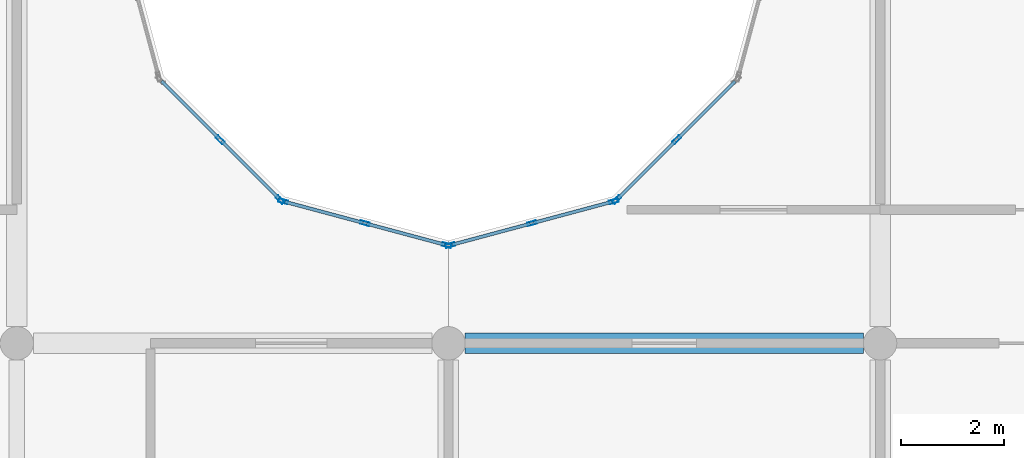
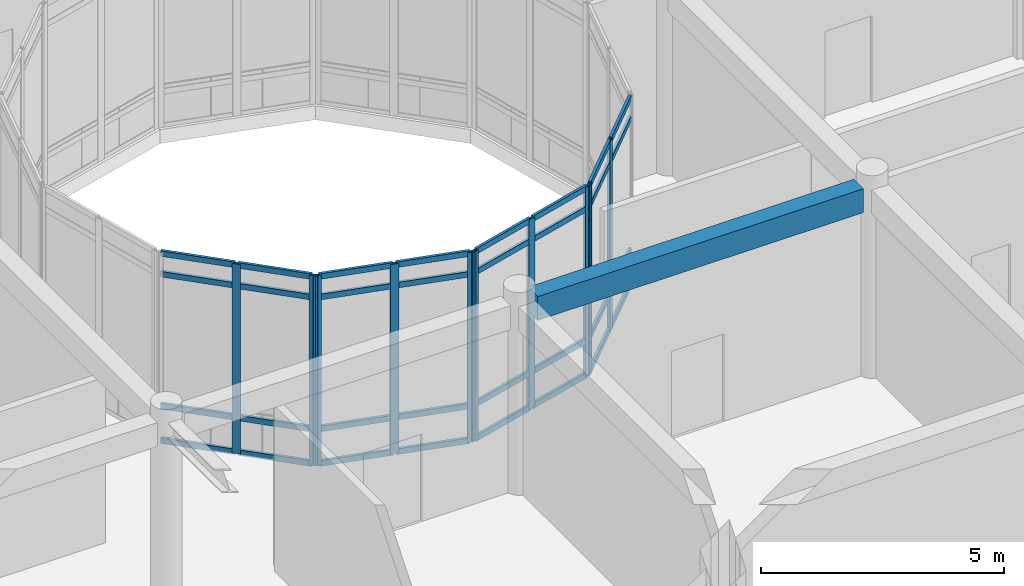
# One storey, part 27 of 134: 42 members, 1 beam, 4 elements without a shape of their own.
"""IFC4 building model written with IfcOpenShell, lengths in metres."""

import ifcopenshell
import ifcopenshell.guid

model = None  # the IFC model being written
_history = None  # IfcOwnerHistory: only IFC2X3 demands one
_inside = {}  # id of a spatial element -> (the spatial element, [elements in it])
_under = {}  # id of a project, library or spatial element -> (it, [spatial elements below it])
_declared = {}  # id of a project -> (the project, [libraries it declares])
_typed = {}  # id of a type object -> (the type object, [elements of that type])
_made_of = {}  # id of a material, layer set ... -> (it, [elements and type objects made of it])


def new_model(schema):
    """Start an empty IFC model of exactly this schema.

    Asked for "IFC4X3", IfcOpenShell would pick the latest addendum, in which some entities
    have other attributes; the version numbers below select the first issue.
    IFC2X3 requires an IfcOwnerHistory on every rooted entity: one is made here for all.
    """
    global model, _history
    if schema == "IFC4X3":
        model = ifcopenshell.file(schema_version=(4, 3, 0, 0))
    else:
        model = ifcopenshell.file(schema=schema)
    _inside.clear()
    _under.clear()
    _declared.clear()
    _typed.clear()
    _made_of.clear()
    _history = None
    if model.schema == "IFC2X3":
        org = make("IfcOrganization", Name="unknown")
        user = make(
            "IfcPersonAndOrganization",
            ThePerson=make("IfcPerson", FamilyName="unknown"),
            TheOrganization=org,
        )
        app = make(
            "IfcApplication",
            ApplicationDeveloper=org,
            Version="unknown",
            ApplicationFullName="unknown",
            ApplicationIdentifier="unknown",
        )
        _history = make(
            "IfcOwnerHistory",
            OwningUser=user,
            OwningApplication=app,
            ChangeAction="ADDED",
            CreationDate=0,
        )
    return model


def make(cls, **values):
    """One entity of the class cls with the attributes given. An attribute that is None is left unset."""
    return model.create_entity(
        cls, **{name: value for name, value in values.items() if value is not None}
    )


def rooted(cls, **values):
    """An entity with a GlobalId (a new one), such as an element, a storey or a relation."""
    return make(cls, GlobalId=ifcopenshell.guid.new(), OwnerHistory=_history, **values)


def si_unit(unit_type, name, prefix=None):
    """IfcSIUnit, for example si_unit("LENGTHUNIT", "METRE", prefix="MILLI")."""
    return make("IfcSIUnit", UnitType=unit_type, Prefix=prefix, Name=name)


def assignment(units):
    """IfcUnitAssignment: the units of a project."""
    return None if units is None else make("IfcUnitAssignment", Units=units)


def point(xyz):
    """IfcCartesianPoint."""
    return None if xyz is None else make("IfcCartesianPoint", Coordinates=xyz)


def direction(xyz):
    """IfcDirection."""
    return None if xyz is None else make("IfcDirection", DirectionRatios=xyz)


def frame(location, z_axis=None, x_axis=None):
    """IfcAxis2Placement3D, a coordinate frame: its origin and axes. An axis left out is left unset."""
    return make(
        "IfcAxis2Placement3D",
        Location=point(location),
        Axis=direction(z_axis),
        RefDirection=direction(x_axis),
    )


def frame_2d(location, x_axis=None):
    """IfcAxis2Placement2D, a coordinate frame in the plane: its origin and x axis."""
    return make(
        "IfcAxis2Placement2D", Location=point(location), RefDirection=direction(x_axis)
    )


def origin():
    """The frame at (0, 0, 0) with its axes left unset."""
    return frame((0.0, 0.0, 0.0))


def origin_2d():
    """The frame at (0, 0) in the plane with its x axis left unset."""
    return frame_2d((0.0, 0.0))


def place(relative_to, where):
    """IfcLocalPlacement: puts the frame where relative to a parent placement (None: the world)."""
    return make(
        "IfcLocalPlacement", PlacementRelTo=relative_to, RelativePlacement=where
    )


def context(
    kind, dimensions, precision=None, world=None, true_north=None, identifier=None
):
    """IfcGeometricRepresentationContext, for example the 3D "Model" context."""
    return make(
        "IfcGeometricRepresentationContext",
        ContextIdentifier=identifier,
        ContextType=kind,
        CoordinateSpaceDimension=dimensions,
        Precision=precision,
        WorldCoordinateSystem=world,
        TrueNorth=true_north,
    )


def subcontext(parent, identifier, kind, view, scale=None):
    """IfcGeometricRepresentationSubContext, for example "Body" below "Model"."""
    return make(
        "IfcGeometricRepresentationSubContext",
        ContextIdentifier=identifier,
        ContextType=kind,
        ParentContext=parent,
        TargetScale=scale,
        TargetView=view,
    )


def project(units=None, contexts=None):
    """IfcProject with its units and contexts."""
    return rooted(
        "IfcProject",
        Name="project",
        RepresentationContexts=contexts,
        UnitsInContext=assignment(units),
    )


def spatial(cls, under=None, at=None, **own):
    """A site, building, storey or space (cls), placed at a placement, below another one or the project."""
    s = rooted(cls, ObjectPlacement=at, **own)
    if under is not None:
        _under.setdefault(under.id(), (under, []))[1].append(s)
    return s


def profile(cls, at=None, kind="AREA", **sizes):
    """A parametric profile (cls). Its sizes go by their IFC names, for example OverallWidth=200.0."""
    return make(cls, ProfileType=kind, Position=at, **sizes)


def rectangle(**sizes):
    """IfcRectangleProfileDef."""
    return profile("IfcRectangleProfileDef", **sizes)


def hollow_rectangle(**sizes):
    """IfcRectangleHollowProfileDef."""
    return profile("IfcRectangleHollowProfileDef", **sizes)


def extrude(swept, where, along, depth):
    """IfcExtrudedAreaSolid: the profile swept, set in the frame where, extruded along a direction by depth."""
    return make(
        "IfcExtrudedAreaSolid",
        SweptArea=swept,
        Position=where,
        ExtrudedDirection=direction(along),
        Depth=depth,
    )


def shape(context_of_items, identifier, shape_type, items):
    """IfcShapeRepresentation: the items that make up one representation, for example the "Body"."""
    return make(
        "IfcShapeRepresentation",
        ContextOfItems=context_of_items,
        RepresentationIdentifier=identifier,
        RepresentationType=shape_type,
        Items=items,
    )


def material(Name=None, Category=None):
    """IfcMaterial."""
    return make("IfcMaterial", Name=Name, Category=Category)


def layer(
    of_material, thickness, ventilated=None, Name=None, Category=None, Priority=None
):
    """IfcMaterialLayer: one layer of a wall or slab, of a material (None: an air gap)."""
    return make(
        "IfcMaterialLayer",
        Material=of_material,
        LayerThickness=thickness,
        IsVentilated=ventilated,
        Name=Name,
        Category=Category,
        Priority=Priority,
    )


def layer_set(layers, Name=None):
    """IfcMaterialLayerSet."""
    return make("IfcMaterialLayerSet", MaterialLayers=layers, LayerSetName=Name)


def material_profile(
    of_material, cross_section, Name=None, Category=None, Priority=None
):
    """IfcMaterialProfile: a cross section and its material."""
    return make(
        "IfcMaterialProfile",
        Name=Name,
        Material=of_material,
        Profile=cross_section,
        Priority=Priority,
        Category=Category,
    )


def profile_set(profiles, Name=None, composite=None):
    """IfcMaterialProfileSet."""
    return make(
        "IfcMaterialProfileSet",
        Name=Name,
        MaterialProfiles=profiles,
        CompositeProfile=composite,
    )


def made_of(thing, what):
    """Note that an element or type object is made of a material, layer set ...; save() writes the relation."""
    if what is not None:
        _made_of.setdefault(what.id(), (what, []))[1].append(thing)
    return thing


def type_object(cls, material=None, **own):
    """A type object (cls), such as IfcWallType, which elements share."""
    return made_of(rooted(cls, **own), material)


def element(
    cls,
    number,
    at=None,
    inside=None,
    cuts=None,
    type_object=None,
    material=None,
    context=None,
    identifier="Body",
    shape_type=None,
    held_by="IfcProductDefinitionShape",
    body=None,
    shapes=None,
    **own,
):
    """One element of the class cls, such as IfcWall. Its Tag is "e" and its number.

    at: its placement. inside: the storey or other place that contains it. cuts: it is an
    opening in that element (IfcRelVoidsElement). A single representation is given by context,
    identifier, shape_type and body (its items); several are given by shapes. held_by: the class
    of the entity that holds the representations. save() writes the other relations.
    """
    e = rooted(cls, Tag="e%d" % number, ObjectPlacement=at, **own)
    if body is not None:
        shapes = [shape(context, identifier, shape_type, body)]
    if shapes is not None:
        e.Representation = make(held_by, Representations=shapes)
    if inside is not None:
        _inside.setdefault(inside.id(), (inside, []))[1].append(e)
    if cuts is not None:
        rooted(
            "IfcRelVoidsElement", RelatingBuildingElement=cuts, RelatedOpeningElement=e
        )
    if type_object is not None:
        _typed.setdefault(type_object.id(), (type_object, []))[1].append(e)
    return made_of(e, material)


def aggregate(whole, parts):
    """IfcRelAggregates: a whole, such as a stair, and the parts it consists of."""
    return rooted("IfcRelAggregates", RelatingObject=whole, RelatedObjects=parts)


def save(model, path):
    """Write the relations noted so far, then the file.

    IfcRelAggregates (storeys below a building ...), IfcRelContainedInSpatialStructure (elements
    in a storey), IfcRelDefinesByType, IfcRelAssociatesMaterial and IfcRelDeclares: one each for
    every whole, place, type object, material and project.
    """
    for whole, parts in _under.values():
        aggregate(whole, parts)
    for where, things in _inside.values():
        rooted(
            "IfcRelContainedInSpatialStructure",
            RelatedElements=things,
            RelatingStructure=where,
        )
    for kind, things in _typed.values():
        rooted("IfcRelDefinesByType", RelatedObjects=things, RelatingType=kind)
    for what, things in _made_of.values():
        rooted("IfcRelAssociatesMaterial", RelatedObjects=things, RelatingMaterial=what)
    for by, libraries in _declared.values():
        rooted("IfcRelDeclares", RelatingContext=by, RelatedDefinitions=libraries)
    model.write(path)


model = new_model("IFC4")

# Units and contexts
model_context = context("Model", 3, precision=1e-05, world=origin(), true_north=direction((0.0, 1.0)))
body_context = subcontext(model_context, "Body", "Model", "MODEL_VIEW")
ifc_project = project(units=[si_unit("LENGTHUNIT", "METRE"), si_unit("AREAUNIT", "SQUARE_METRE"), si_unit("VOLUMEUNIT", "CUBIC_METRE"), si_unit("PLANEANGLEUNIT", "RADIAN"), si_unit("MASSUNIT", "GRAM", prefix="KILO")], contexts=[model_context])

# Site, building, storey
site_placement = place(None, origin())
site = spatial("IfcSite", under=ifc_project, at=site_placement, CompositionType="ELEMENT")
building_placement = place(site_placement, origin())
building = spatial("IfcBuilding", under=site, at=building_placement, Name="Bramfleet General Hospital", CompositionType="ELEMENT")
storey_placement = place(building_placement, frame((0.0, 0.0, 9.300048828125)))
storey = spatial("IfcBuildingStorey", under=building, at=storey_placement, Name="L02", CompositionType="ELEMENT", Elevation=9.300048828125)

# Beam
ifc_material_1 = material(Name="Concrete C35/45", Category="concrete")
ifc_material_profile_1 = material_profile(ifc_material_1, rectangle(XDim=0.39990234375, YDim=0.60009765625, at=origin_2d()), Name="RC BM 600x400")
ifc_profile_set_1 = profile_set([ifc_material_profile_1], Name="Concrete C35/45")
beam_type = type_object("IfcBeamType", Name="BM-RC600", PredefinedType="BEAM", material=ifc_profile_set_1)
beam_placement = place(storey_placement, frame((117.925048828125, 58.800048828125, 4.47998046875), z_axis=(1.0, 0.0, 0.0), x_axis=(0.0, 1.0, 0.0)))
element("IfcBeam", 1, at=beam_placement, inside=storey, type_object=beam_type, Name="L02 Grid Beam X 14-07", PredefinedType="BEAM", context=body_context, shape_type="SweptSolid", body=[
    extrude(rectangle(XDim=0.39990234375, YDim=0.60009765625, at=origin_2d()), origin(), (0.0, 0.0, 1.0), 7.75),
])

# Curtain wall, members
ifc_material_2 = material(Name="Anodised aluminium and low-E triple glazing", Category="aluminium")
ifc_layer_1 = layer(ifc_material_2, 0.179931640625, Name="CWT-CW-14")
ifc_layer_set_1 = layer_set([ifc_layer_1], Name="Anodised aluminium and low-E triple glazing")
curtain_wall_type_1 = type_object("IfcCurtainWallType", Name="CWT-CW-14", PredefinedType="USERDEFINED", material=ifc_layer_set_1)
curtain_wall_1_placement = place(storey_placement, origin())
curtain_wall_1 = element("IfcCurtainWall", 2, at=curtain_wall_1_placement, inside=storey, type_object=curtain_wall_type_1, Name="L02 East Laboratory Light Court Curtain Wall 2.1", ObjectType="Stick curtain wall", PredefinedType="USERDEFINED")
ifc_material_3 = material(Name="Anodised aluminium EN AW-6060", Category="aluminium")
ifc_material_profile_2 = material_profile(ifc_material_3, hollow_rectangle(XDim=0.070068359375, YDim=0.179931640625, WallThickness=0.00390625, at=origin_2d()), Name="ALU 180x70x4.0")
ifc_profile_set_2 = profile_set([ifc_material_profile_2], Name="Anodised aluminium EN AW-6060")
member_type_1 = type_object("IfcMemberType", Name="CWM-ALU180", PredefinedType="MULLION", material=ifc_profile_set_2)
member_1_placement = place(storey_placement, frame((113.160400390625, 62.760498046875, 0.0), z_axis=(0.0, 0.0, 1.0), x_axis=(0.707106781187, 0.707106781187, 0.0)))
member_1 = element("IfcMember", 3, at=member_1_placement, type_object=member_type_1, Name="CW-14 mullion 2", PredefinedType="MULLION", context=body_context, shape_type="SweptSolid", body=[
    extrude(hollow_rectangle(XDim=0.070068359375, YDim=0.179931640625, WallThickness=0.00390625, at=origin_2d()), origin(), (0.0, 0.0, 1.0), 4.77001953125),
])
member_2_placement = place(storey_placement, frame((114.3251953125, 61.595703125, 0.0), z_axis=(0.0, 0.0, 1.0), x_axis=(0.707106781187, 0.707106781187, 0.0)))
member_2 = element("IfcMember", 4, at=member_2_placement, type_object=member_type_1, Name="CW-14 mullion 3", PredefinedType="MULLION", context=body_context, shape_type="SweptSolid", body=[
    extrude(hollow_rectangle(XDim=0.070068359375, YDim=0.179931640625, WallThickness=0.00390625, at=origin_2d()), origin(), (0.0, 0.0, 1.0), 4.77001953125),
])

ifc_layer_2 = layer(ifc_material_2, 0.179931640625, Name="CWT-CW-15")
ifc_layer_set_2 = layer_set([ifc_layer_2], Name="Anodised aluminium and low-E triple glazing")
curtain_wall_type_2 = type_object("IfcCurtainWallType", Name="CWT-CW-15", PredefinedType="USERDEFINED", material=ifc_layer_set_2)
curtain_wall_2_placement = place(storey_placement, origin())
curtain_wall_2 = element("IfcCurtainWall", 5, at=curtain_wall_2_placement, inside=storey, type_object=curtain_wall_type_2, Name="L02 East Laboratory Light Court Curtain Wall 3.1", ObjectType="Stick curtain wall", PredefinedType="USERDEFINED")
member_3_placement = place(storey_placement, frame((114.3837890625, 61.56201171875, 0.0), z_axis=(0.0, 0.0, 1.0), x_axis=(0.258864833085, 0.965913556273, 0.0)))
member_3 = element("IfcMember", 6, at=member_3_placement, type_object=member_type_1, Name="CW-15 mullion 1", PredefinedType="MULLION", context=body_context, shape_type="SweptSolid", body=[
    extrude(hollow_rectangle(XDim=0.070068359375, YDim=0.179931640625, WallThickness=0.00390625, at=origin_2d()), origin(), (0.0, 0.0, 1.0), 4.77001953125),
])
member_4_placement = place(storey_placement, frame((115.97509765625, 61.135498046875, 0.0), z_axis=(0.0, 0.0, 1.0), x_axis=(0.258864833085, 0.965913556273, 0.0)))
member_4 = element("IfcMember", 7, at=member_4_placement, type_object=member_type_1, Name="CW-15 mullion 2", PredefinedType="MULLION", context=body_context, shape_type="SweptSolid", body=[
    extrude(hollow_rectangle(XDim=0.070068359375, YDim=0.179931640625, WallThickness=0.00390625, at=origin_2d()), origin(), (0.0, 0.0, 1.0), 4.77001953125),
])
member_5_placement = place(storey_placement, frame((117.566162109375, 60.708984375, 0.0), z_axis=(0.0, 0.0, 1.0), x_axis=(0.258864833085, 0.965913556273, 0.0)))
member_5 = element("IfcMember", 8, at=member_5_placement, type_object=member_type_1, Name="CW-15 mullion 3", PredefinedType="MULLION", context=body_context, shape_type="SweptSolid", body=[
    extrude(hollow_rectangle(XDim=0.070068359375, YDim=0.179931640625, WallThickness=0.00390625, at=origin_2d()), origin(), (0.0, 0.0, 1.0), 4.77001953125),
])

ifc_layer_3 = layer(ifc_material_2, 0.179931640625, Name="CWT-CW-16")
ifc_layer_set_3 = layer_set([ifc_layer_3], Name="Anodised aluminium and low-E triple glazing")
curtain_wall_type_3 = type_object("IfcCurtainWallType", Name="CWT-CW-16", PredefinedType="USERDEFINED", material=ifc_layer_set_3)
curtain_wall_3_placement = place(storey_placement, origin())
curtain_wall_3 = element("IfcCurtainWall", 9, at=curtain_wall_3_placement, inside=storey, type_object=curtain_wall_type_3, Name="L02 East Laboratory Light Court Curtain Wall 4.1", ObjectType="Stick curtain wall", PredefinedType="USERDEFINED")
member_6_placement = place(storey_placement, frame((117.6337890625, 60.708984375, 0.0), z_axis=(0.0, 0.0, 1.0), x_axis=(-0.258864833085, 0.965913556273, 0.0)))
member_6 = element("IfcMember", 10, at=member_6_placement, type_object=member_type_1, Name="CW-16 mullion 1", PredefinedType="MULLION", context=body_context, shape_type="SweptSolid", body=[
    extrude(hollow_rectangle(XDim=0.070068359375, YDim=0.179931640625, WallThickness=0.00390625, at=origin_2d()), origin(), (0.0, 0.0, 1.0), 4.77001953125),
])
member_7_placement = place(storey_placement, frame((119.22509765625, 61.135498046875, 0.0), z_axis=(0.0, 0.0, 1.0), x_axis=(-0.258864833085, 0.965913556273, 0.0)))
member_7 = element("IfcMember", 11, at=member_7_placement, type_object=member_type_1, Name="CW-16 mullion 2", PredefinedType="MULLION", context=body_context, shape_type="SweptSolid", body=[
    extrude(hollow_rectangle(XDim=0.070068359375, YDim=0.179931640625, WallThickness=0.00390625, at=origin_2d()), origin(), (0.0, 0.0, 1.0), 4.77001953125),
])
member_8_placement = place(storey_placement, frame((120.816162109375, 61.56201171875, 0.0), z_axis=(0.0, 0.0, 1.0), x_axis=(-0.258864833085, 0.965913556273, 0.0)))
member_8 = element("IfcMember", 12, at=member_8_placement, type_object=member_type_1, Name="CW-16 mullion 3", PredefinedType="MULLION", context=body_context, shape_type="SweptSolid", body=[
    extrude(hollow_rectangle(XDim=0.070068359375, YDim=0.179931640625, WallThickness=0.00390625, at=origin_2d()), origin(), (0.0, 0.0, 1.0), 4.77001953125),
])

ifc_layer_4 = layer(ifc_material_2, 0.179931640625, Name="CWT-CW-17")
ifc_layer_set_4 = layer_set([ifc_layer_4], Name="Anodised aluminium and low-E triple glazing")
curtain_wall_type_4 = type_object("IfcCurtainWallType", Name="CWT-CW-17", PredefinedType="USERDEFINED", material=ifc_layer_set_4)
curtain_wall_4_placement = place(storey_placement, origin())
curtain_wall_4 = element("IfcCurtainWall", 13, at=curtain_wall_4_placement, inside=storey, type_object=curtain_wall_type_4, Name="L02 East Laboratory Light Court Curtain Wall 5.1", ObjectType="Stick curtain wall", PredefinedType="USERDEFINED")
member_9_placement = place(storey_placement, frame((120.874755859375, 61.595703125, 0.0), z_axis=(0.0, 0.0, 1.0), x_axis=(-0.707106781187, 0.707106781187, 0.0)))
member_9 = element("IfcMember", 14, at=member_9_placement, type_object=member_type_1, Name="CW-17 mullion 1", PredefinedType="MULLION", context=body_context, shape_type="SweptSolid", body=[
    extrude(hollow_rectangle(XDim=0.070068359375, YDim=0.179931640625, WallThickness=0.00390625, at=origin_2d()), origin(), (0.0, 0.0, 1.0), 4.77001953125),
])
member_10_placement = place(storey_placement, frame((122.03955078125, 62.760498046875, 0.0), z_axis=(0.0, 0.0, 1.0), x_axis=(-0.707106781187, 0.707106781187, 0.0)))
member_10 = element("IfcMember", 15, at=member_10_placement, type_object=member_type_1, Name="CW-17 mullion 2", PredefinedType="MULLION", context=body_context, shape_type="SweptSolid", body=[
    extrude(hollow_rectangle(XDim=0.070068359375, YDim=0.179931640625, WallThickness=0.00390625, at=origin_2d()), origin(), (0.0, 0.0, 1.0), 4.77001953125),
])

# Member
ifc_material_profile_3 = material_profile(ifc_material_3, hollow_rectangle(XDim=0.06494140625, YDim=0.139892578125, WallThickness=0.00390625, at=origin_2d()), Name="ALU 140x65x4.0")
ifc_profile_set_3 = profile_set([ifc_material_profile_3], Name="Anodised aluminium EN AW-6060")
member_type_2 = type_object("IfcMemberType", Name="CWT-ALU140", PredefinedType="USERDEFINED", material=ifc_profile_set_3)
member_11_placement = place(storey_placement, frame((112.0205078125, 63.900390625, 0.032470703125), z_axis=(0.707106781187, -0.707106781187, 0.0), x_axis=(0.707106781187, 0.707106781187, 0.0)))
member_11 = element("IfcMember", 16, at=member_11_placement, type_object=member_type_2, Name="CW-14 transom 1.1", ObjectType="TRANSOM", PredefinedType="USERDEFINED", context=body_context, shape_type="SweptSolid", body=[
    extrude(hollow_rectangle(XDim=0.06494140625, YDim=0.139892578125, WallThickness=0.00390625, at=origin_2d()), origin(), (0.0, 0.0, 1.0), 1.5771484375),
])

member_12_placement = place(storey_placement, frame((112.0205078125, 63.900390625, 0.89990234375), z_axis=(0.707106781187, -0.707106781187, 0.0), x_axis=(0.707106781187, 0.707106781187, 0.0)))
member_12 = element("IfcMember", 17, at=member_12_placement, type_object=member_type_2, Name="CW-14 transom 1.2", ObjectType="TRANSOM", PredefinedType="USERDEFINED", context=body_context, shape_type="SweptSolid", body=[
    extrude(hollow_rectangle(XDim=0.06494140625, YDim=0.139892578125, WallThickness=0.00390625, at=origin_2d()), origin(), (0.0, 0.0, 1.0), 1.5771484375),
])

member_13_placement = place(storey_placement, frame((112.0205078125, 63.900390625, 4.219970703125), z_axis=(0.707106781187, -0.707106781187, 0.0), x_axis=(0.707106781187, 0.707106781187, 0.0)))
member_13 = element("IfcMember", 18, at=member_13_placement, type_object=member_type_2, Name="CW-14 transom 1.3", ObjectType="TRANSOM", PredefinedType="USERDEFINED", context=body_context, shape_type="SweptSolid", body=[
    extrude(hollow_rectangle(XDim=0.06494140625, YDim=0.139892578125, WallThickness=0.00390625, at=origin_2d()), origin(), (0.0, 0.0, 1.0), 1.5771484375),
])

member_14_placement = place(storey_placement, frame((112.0205078125, 63.900390625, 4.737548828125), z_axis=(0.707106781187, -0.707106781187, 0.0), x_axis=(0.707106781187, 0.707106781187, 0.0)))
member_14 = element("IfcMember", 19, at=member_14_placement, type_object=member_type_2, Name="CW-14 transom 1.4", ObjectType="TRANSOM", PredefinedType="USERDEFINED", context=body_context, shape_type="SweptSolid", body=[
    extrude(hollow_rectangle(XDim=0.06494140625, YDim=0.139892578125, WallThickness=0.00390625, at=origin_2d()), origin(), (0.0, 0.0, 1.0), 1.5771484375),
])

member_15_placement = place(storey_placement, frame((113.185302734375, 62.73583984375, 0.032470703125), z_axis=(0.707106781187, -0.707106781187, 0.0), x_axis=(0.707106781187, 0.707106781187, 0.0)))
member_15 = element("IfcMember", 20, at=member_15_placement, type_object=member_type_2, Name="CW-14 transom 2.1", ObjectType="TRANSOM", PredefinedType="USERDEFINED", context=body_context, shape_type="SweptSolid", body=[
    extrude(hollow_rectangle(XDim=0.06494140625, YDim=0.139892578125, WallThickness=0.00390625, at=origin_2d()), origin(), (0.0, 0.0, 1.0), 1.5771484375),
])

member_16_placement = place(storey_placement, frame((113.185302734375, 62.73583984375, 0.89990234375), z_axis=(0.707106781187, -0.707106781187, 0.0), x_axis=(0.707106781187, 0.707106781187, 0.0)))
member_16 = element("IfcMember", 21, at=member_16_placement, type_object=member_type_2, Name="CW-14 transom 2.2", ObjectType="TRANSOM", PredefinedType="USERDEFINED", context=body_context, shape_type="SweptSolid", body=[
    extrude(hollow_rectangle(XDim=0.06494140625, YDim=0.139892578125, WallThickness=0.00390625, at=origin_2d()), origin(), (0.0, 0.0, 1.0), 1.5771484375),
])

member_17_placement = place(storey_placement, frame((113.185302734375, 62.73583984375, 4.219970703125), z_axis=(0.707106781187, -0.707106781187, 0.0), x_axis=(0.707106781187, 0.707106781187, 0.0)))
member_17 = element("IfcMember", 22, at=member_17_placement, type_object=member_type_2, Name="CW-14 transom 2.3", ObjectType="TRANSOM", PredefinedType="USERDEFINED", context=body_context, shape_type="SweptSolid", body=[
    extrude(hollow_rectangle(XDim=0.06494140625, YDim=0.139892578125, WallThickness=0.00390625, at=origin_2d()), origin(), (0.0, 0.0, 1.0), 1.5771484375),
])

member_18_placement = place(storey_placement, frame((113.185302734375, 62.73583984375, 4.737548828125), z_axis=(0.707106781187, -0.707106781187, 0.0), x_axis=(0.707106781187, 0.707106781187, 0.0)))
member_18 = element("IfcMember", 23, at=member_18_placement, type_object=member_type_2, Name="CW-14 transom 2.4", ObjectType="TRANSOM", PredefinedType="USERDEFINED", context=body_context, shape_type="SweptSolid", body=[
    extrude(hollow_rectangle(XDim=0.06494140625, YDim=0.139892578125, WallThickness=0.00390625, at=origin_2d()), origin(), (0.0, 0.0, 1.0), 1.5771484375),
])

aggregate(curtain_wall_1, [member_1, member_2, member_11, member_12, member_13, member_14, member_15, member_16, member_17, member_18])

member_19_placement = place(storey_placement, frame((114.417724609375, 61.552978515625, 0.032470703125), z_axis=(0.965887232725, -0.258963035312, 0.0), x_axis=(0.258963035312, 0.965887232725, 0.0)))
member_19 = element("IfcMember", 24, at=member_19_placement, type_object=member_type_2, Name="CW-15 transom 1.1", ObjectType="TRANSOM", PredefinedType="USERDEFINED", context=body_context, shape_type="SweptSolid", body=[
    extrude(hollow_rectangle(XDim=0.06494140625, YDim=0.139892578125, WallThickness=0.00390625, at=origin_2d()), origin(), (0.0, 0.0, 1.0), 1.5771484375),
])

member_20_placement = place(storey_placement, frame((114.417724609375, 61.552978515625, 0.89990234375), z_axis=(0.965887232725, -0.258963035312, 0.0), x_axis=(0.258963035312, 0.965887232725, 0.0)))
member_20 = element("IfcMember", 25, at=member_20_placement, type_object=member_type_2, Name="CW-15 transom 1.2", ObjectType="TRANSOM", PredefinedType="USERDEFINED", context=body_context, shape_type="SweptSolid", body=[
    extrude(hollow_rectangle(XDim=0.06494140625, YDim=0.139892578125, WallThickness=0.00390625, at=origin_2d()), origin(), (0.0, 0.0, 1.0), 1.5771484375),
])

member_21_placement = place(storey_placement, frame((114.417724609375, 61.552978515625, 4.219970703125), z_axis=(0.965887232725, -0.258963035312, 0.0), x_axis=(0.258963035312, 0.965887232725, 0.0)))
member_21 = element("IfcMember", 26, at=member_21_placement, type_object=member_type_2, Name="CW-15 transom 1.3", ObjectType="TRANSOM", PredefinedType="USERDEFINED", context=body_context, shape_type="SweptSolid", body=[
    extrude(hollow_rectangle(XDim=0.06494140625, YDim=0.139892578125, WallThickness=0.00390625, at=origin_2d()), origin(), (0.0, 0.0, 1.0), 1.5771484375),
])

member_22_placement = place(storey_placement, frame((114.417724609375, 61.552978515625, 4.737548828125), z_axis=(0.965887232725, -0.258963035312, 0.0), x_axis=(0.258963035312, 0.965887232725, 0.0)))
member_22 = element("IfcMember", 27, at=member_22_placement, type_object=member_type_2, Name="CW-15 transom 1.4", ObjectType="TRANSOM", PredefinedType="USERDEFINED", context=body_context, shape_type="SweptSolid", body=[
    extrude(hollow_rectangle(XDim=0.06494140625, YDim=0.139892578125, WallThickness=0.00390625, at=origin_2d()), origin(), (0.0, 0.0, 1.0), 1.5771484375),
])

member_23_placement = place(storey_placement, frame((116.0087890625, 61.12646484375, 0.032470703125), z_axis=(0.965897610877, -0.258924323505, 0.0), x_axis=(0.258924323505, 0.965897610877, 0.0)))
member_23 = element("IfcMember", 28, at=member_23_placement, type_object=member_type_2, Name="CW-15 transom 2.1", ObjectType="TRANSOM", PredefinedType="USERDEFINED", context=body_context, shape_type="SweptSolid", body=[
    extrude(hollow_rectangle(XDim=0.06494140625, YDim=0.139892578125, WallThickness=0.00390625, at=origin_2d()), origin(), (0.0, 0.0, 1.0), 1.577392578125),
])

member_24_placement = place(storey_placement, frame((116.0087890625, 61.12646484375, 0.89990234375), z_axis=(0.965897610877, -0.258924323505, 0.0), x_axis=(0.258924323505, 0.965897610877, 0.0)))
member_24 = element("IfcMember", 29, at=member_24_placement, type_object=member_type_2, Name="CW-15 transom 2.2", ObjectType="TRANSOM", PredefinedType="USERDEFINED", context=body_context, shape_type="SweptSolid", body=[
    extrude(hollow_rectangle(XDim=0.06494140625, YDim=0.139892578125, WallThickness=0.00390625, at=origin_2d()), origin(), (0.0, 0.0, 1.0), 1.577392578125),
])

member_25_placement = place(storey_placement, frame((116.0087890625, 61.12646484375, 4.219970703125), z_axis=(0.965897610877, -0.258924323505, 0.0), x_axis=(0.258924323505, 0.965897610877, 0.0)))
member_25 = element("IfcMember", 30, at=member_25_placement, type_object=member_type_2, Name="CW-15 transom 2.3", ObjectType="TRANSOM", PredefinedType="USERDEFINED", context=body_context, shape_type="SweptSolid", body=[
    extrude(hollow_rectangle(XDim=0.06494140625, YDim=0.139892578125, WallThickness=0.00390625, at=origin_2d()), origin(), (0.0, 0.0, 1.0), 1.577392578125),
])

member_26_placement = place(storey_placement, frame((116.0087890625, 61.12646484375, 4.737548828125), z_axis=(0.965897610877, -0.258924323505, 0.0), x_axis=(0.258924323505, 0.965897610877, 0.0)))
member_26 = element("IfcMember", 31, at=member_26_placement, type_object=member_type_2, Name="CW-15 transom 2.4", ObjectType="TRANSOM", PredefinedType="USERDEFINED", context=body_context, shape_type="SweptSolid", body=[
    extrude(hollow_rectangle(XDim=0.06494140625, YDim=0.139892578125, WallThickness=0.00390625, at=origin_2d()), origin(), (0.0, 0.0, 1.0), 1.577392578125),
])

aggregate(curtain_wall_2, [member_3, member_4, member_5, member_19, member_20, member_21, member_22, member_23, member_24, member_25, member_26])

member_27_placement = place(storey_placement, frame((117.667724609375, 60.718017578125, 0.032470703125), z_axis=(0.965887232725, 0.258963035312, 0.0), x_axis=(-0.258963035312, 0.965887232725, 0.0)))
member_27 = element("IfcMember", 32, at=member_27_placement, type_object=member_type_2, Name="CW-16 transom 1.1", ObjectType="TRANSOM", PredefinedType="USERDEFINED", context=body_context, shape_type="SweptSolid", body=[
    extrude(hollow_rectangle(XDim=0.06494140625, YDim=0.139892578125, WallThickness=0.00390625, at=origin_2d()), origin(), (0.0, 0.0, 1.0), 1.5771484375),
])

member_28_placement = place(storey_placement, frame((117.667724609375, 60.718017578125, 0.89990234375), z_axis=(0.965887232725, 0.258963035312, 0.0), x_axis=(-0.258963035312, 0.965887232725, 0.0)))
member_28 = element("IfcMember", 33, at=member_28_placement, type_object=member_type_2, Name="CW-16 transom 1.2", ObjectType="TRANSOM", PredefinedType="USERDEFINED", context=body_context, shape_type="SweptSolid", body=[
    extrude(hollow_rectangle(XDim=0.06494140625, YDim=0.139892578125, WallThickness=0.00390625, at=origin_2d()), origin(), (0.0, 0.0, 1.0), 1.5771484375),
])

member_29_placement = place(storey_placement, frame((117.667724609375, 60.718017578125, 4.219970703125), z_axis=(0.965887232725, 0.258963035312, 0.0), x_axis=(-0.258963035312, 0.965887232725, 0.0)))
member_29 = element("IfcMember", 34, at=member_29_placement, type_object=member_type_2, Name="CW-16 transom 1.3", ObjectType="TRANSOM", PredefinedType="USERDEFINED", context=body_context, shape_type="SweptSolid", body=[
    extrude(hollow_rectangle(XDim=0.06494140625, YDim=0.139892578125, WallThickness=0.00390625, at=origin_2d()), origin(), (0.0, 0.0, 1.0), 1.5771484375),
])

member_30_placement = place(storey_placement, frame((117.667724609375, 60.718017578125, 4.737548828125), z_axis=(0.965887232725, 0.258963035312, 0.0), x_axis=(-0.258963035312, 0.965887232725, 0.0)))
member_30 = element("IfcMember", 35, at=member_30_placement, type_object=member_type_2, Name="CW-16 transom 1.4", ObjectType="TRANSOM", PredefinedType="USERDEFINED", context=body_context, shape_type="SweptSolid", body=[
    extrude(hollow_rectangle(XDim=0.06494140625, YDim=0.139892578125, WallThickness=0.00390625, at=origin_2d()), origin(), (0.0, 0.0, 1.0), 1.5771484375),
])

member_31_placement = place(storey_placement, frame((119.2587890625, 61.14453125, 0.032470703125), z_axis=(0.965897610877, 0.258924323505, 0.0), x_axis=(-0.258924323505, 0.965897610877, 0.0)))
member_31 = element("IfcMember", 36, at=member_31_placement, type_object=member_type_2, Name="CW-16 transom 2.1", ObjectType="TRANSOM", PredefinedType="USERDEFINED", context=body_context, shape_type="SweptSolid", body=[
    extrude(hollow_rectangle(XDim=0.06494140625, YDim=0.139892578125, WallThickness=0.00390625, at=origin_2d()), origin(), (0.0, 0.0, 1.0), 1.577392578125),
])

member_32_placement = place(storey_placement, frame((119.2587890625, 61.14453125, 0.89990234375), z_axis=(0.965897610877, 0.258924323505, 0.0), x_axis=(-0.258924323505, 0.965897610877, 0.0)))
member_32 = element("IfcMember", 37, at=member_32_placement, type_object=member_type_2, Name="CW-16 transom 2.2", ObjectType="TRANSOM", PredefinedType="USERDEFINED", context=body_context, shape_type="SweptSolid", body=[
    extrude(hollow_rectangle(XDim=0.06494140625, YDim=0.139892578125, WallThickness=0.00390625, at=origin_2d()), origin(), (0.0, 0.0, 1.0), 1.577392578125),
])

member_33_placement = place(storey_placement, frame((119.2587890625, 61.14453125, 4.219970703125), z_axis=(0.965897610877, 0.258924323505, 0.0), x_axis=(-0.258924323505, 0.965897610877, 0.0)))
member_33 = element("IfcMember", 38, at=member_33_placement, type_object=member_type_2, Name="CW-16 transom 2.3", ObjectType="TRANSOM", PredefinedType="USERDEFINED", context=body_context, shape_type="SweptSolid", body=[
    extrude(hollow_rectangle(XDim=0.06494140625, YDim=0.139892578125, WallThickness=0.00390625, at=origin_2d()), origin(), (0.0, 0.0, 1.0), 1.577392578125),
])

member_34_placement = place(storey_placement, frame((119.2587890625, 61.14453125, 4.737548828125), z_axis=(0.965897610877, 0.258924323505, 0.0), x_axis=(-0.258924323505, 0.965897610877, 0.0)))
member_34 = element("IfcMember", 39, at=member_34_placement, type_object=member_type_2, Name="CW-16 transom 2.4", ObjectType="TRANSOM", PredefinedType="USERDEFINED", context=body_context, shape_type="SweptSolid", body=[
    extrude(hollow_rectangle(XDim=0.06494140625, YDim=0.139892578125, WallThickness=0.00390625, at=origin_2d()), origin(), (0.0, 0.0, 1.0), 1.577392578125),
])

aggregate(curtain_wall_3, [member_6, member_7, member_8, member_27, member_28, member_29, member_30, member_31, member_32, member_33, member_34])

member_35_placement = place(storey_placement, frame((120.8994140625, 61.62060546875, 0.032470703125), z_axis=(0.707106781187, 0.707106781187, 0.0), x_axis=(-0.707106781187, 0.707106781187, 0.0)))
member_35 = element("IfcMember", 40, at=member_35_placement, type_object=member_type_2, Name="CW-17 transom 1.1", ObjectType="TRANSOM", PredefinedType="USERDEFINED", context=body_context, shape_type="SweptSolid", body=[
    extrude(hollow_rectangle(XDim=0.06494140625, YDim=0.139892578125, WallThickness=0.00390625, at=origin_2d()), origin(), (0.0, 0.0, 1.0), 1.5771484375),
])

member_36_placement = place(storey_placement, frame((120.8994140625, 61.62060546875, 0.89990234375), z_axis=(0.707106781187, 0.707106781187, 0.0), x_axis=(-0.707106781187, 0.707106781187, 0.0)))
member_36 = element("IfcMember", 41, at=member_36_placement, type_object=member_type_2, Name="CW-17 transom 1.2", ObjectType="TRANSOM", PredefinedType="USERDEFINED", context=body_context, shape_type="SweptSolid", body=[
    extrude(hollow_rectangle(XDim=0.06494140625, YDim=0.139892578125, WallThickness=0.00390625, at=origin_2d()), origin(), (0.0, 0.0, 1.0), 1.5771484375),
])

member_37_placement = place(storey_placement, frame((120.8994140625, 61.62060546875, 4.219970703125), z_axis=(0.707106781187, 0.707106781187, 0.0), x_axis=(-0.707106781187, 0.707106781187, 0.0)))
member_37 = element("IfcMember", 42, at=member_37_placement, type_object=member_type_2, Name="CW-17 transom 1.3", ObjectType="TRANSOM", PredefinedType="USERDEFINED", context=body_context, shape_type="SweptSolid", body=[
    extrude(hollow_rectangle(XDim=0.06494140625, YDim=0.139892578125, WallThickness=0.00390625, at=origin_2d()), origin(), (0.0, 0.0, 1.0), 1.5771484375),
])

member_38_placement = place(storey_placement, frame((120.8994140625, 61.62060546875, 4.737548828125), z_axis=(0.707106781187, 0.707106781187, 0.0), x_axis=(-0.707106781187, 0.707106781187, 0.0)))
member_38 = element("IfcMember", 43, at=member_38_placement, type_object=member_type_2, Name="CW-17 transom 1.4", ObjectType="TRANSOM", PredefinedType="USERDEFINED", context=body_context, shape_type="SweptSolid", body=[
    extrude(hollow_rectangle(XDim=0.06494140625, YDim=0.139892578125, WallThickness=0.00390625, at=origin_2d()), origin(), (0.0, 0.0, 1.0), 1.5771484375),
])

member_39_placement = place(storey_placement, frame((122.064208984375, 62.78515625, 0.032470703125), z_axis=(0.707106781187, 0.707106781187, 0.0), x_axis=(-0.707106781187, 0.707106781187, 0.0)))
member_39 = element("IfcMember", 44, at=member_39_placement, type_object=member_type_2, Name="CW-17 transom 2.1", ObjectType="TRANSOM", PredefinedType="USERDEFINED", context=body_context, shape_type="SweptSolid", body=[
    extrude(hollow_rectangle(XDim=0.06494140625, YDim=0.139892578125, WallThickness=0.00390625, at=origin_2d()), origin(), (0.0, 0.0, 1.0), 1.5771484375),
])

member_40_placement = place(storey_placement, frame((122.064208984375, 62.78515625, 0.89990234375), z_axis=(0.707106781187, 0.707106781187, 0.0), x_axis=(-0.707106781187, 0.707106781187, 0.0)))
member_40 = element("IfcMember", 45, at=member_40_placement, type_object=member_type_2, Name="CW-17 transom 2.2", ObjectType="TRANSOM", PredefinedType="USERDEFINED", context=body_context, shape_type="SweptSolid", body=[
    extrude(hollow_rectangle(XDim=0.06494140625, YDim=0.139892578125, WallThickness=0.00390625, at=origin_2d()), origin(), (0.0, 0.0, 1.0), 1.5771484375),
])

member_41_placement = place(storey_placement, frame((122.064208984375, 62.78515625, 4.219970703125), z_axis=(0.707106781187, 0.707106781187, 0.0), x_axis=(-0.707106781187, 0.707106781187, 0.0)))
member_41 = element("IfcMember", 46, at=member_41_placement, type_object=member_type_2, Name="CW-17 transom 2.3", ObjectType="TRANSOM", PredefinedType="USERDEFINED", context=body_context, shape_type="SweptSolid", body=[
    extrude(hollow_rectangle(XDim=0.06494140625, YDim=0.139892578125, WallThickness=0.00390625, at=origin_2d()), origin(), (0.0, 0.0, 1.0), 1.5771484375),
])

member_42_placement = place(storey_placement, frame((122.064208984375, 62.78515625, 4.737548828125), z_axis=(0.707106781187, 0.707106781187, 0.0), x_axis=(-0.707106781187, 0.707106781187, 0.0)))
member_42 = element("IfcMember", 47, at=member_42_placement, type_object=member_type_2, Name="CW-17 transom 2.4", ObjectType="TRANSOM", PredefinedType="USERDEFINED", context=body_context, shape_type="SweptSolid", body=[
    extrude(hollow_rectangle(XDim=0.06494140625, YDim=0.139892578125, WallThickness=0.00390625, at=origin_2d()), origin(), (0.0, 0.0, 1.0), 1.5771484375),
])

aggregate(curtain_wall_4, [member_9, member_10, member_35, member_36, member_37, member_38, member_39, member_40, member_41, member_42])

save(model, "model.ifc")
